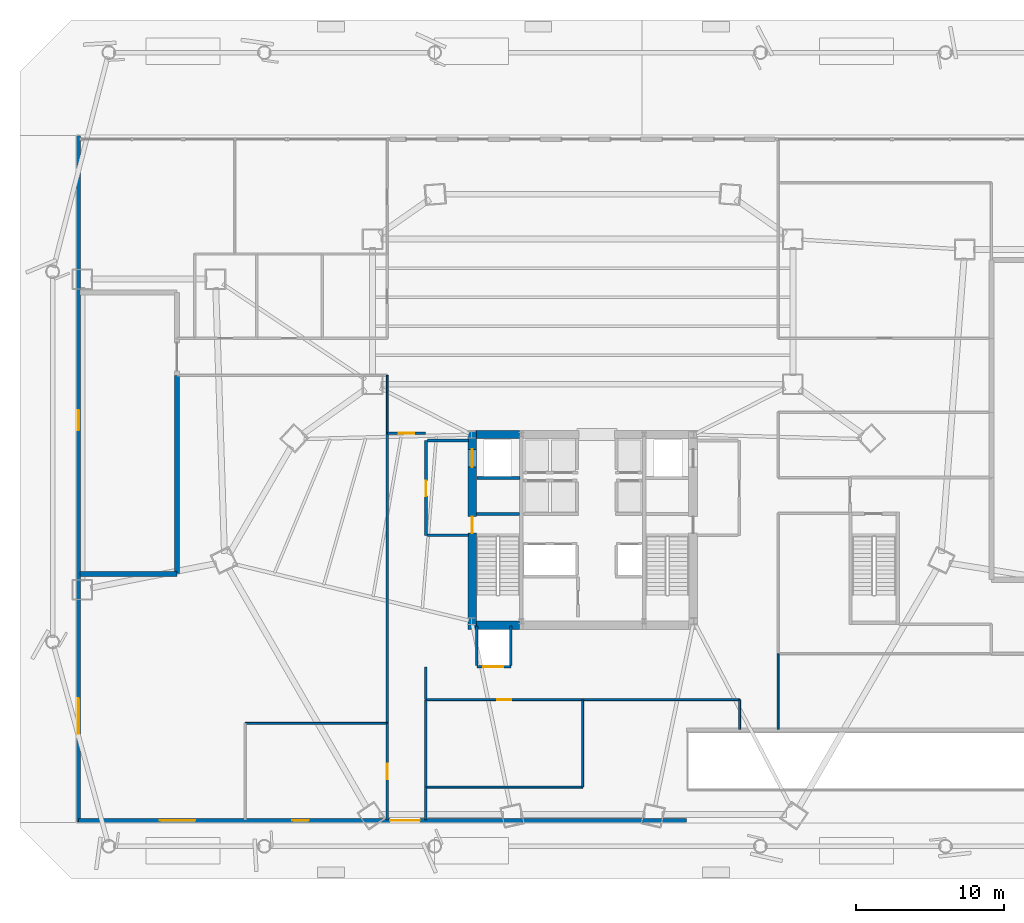
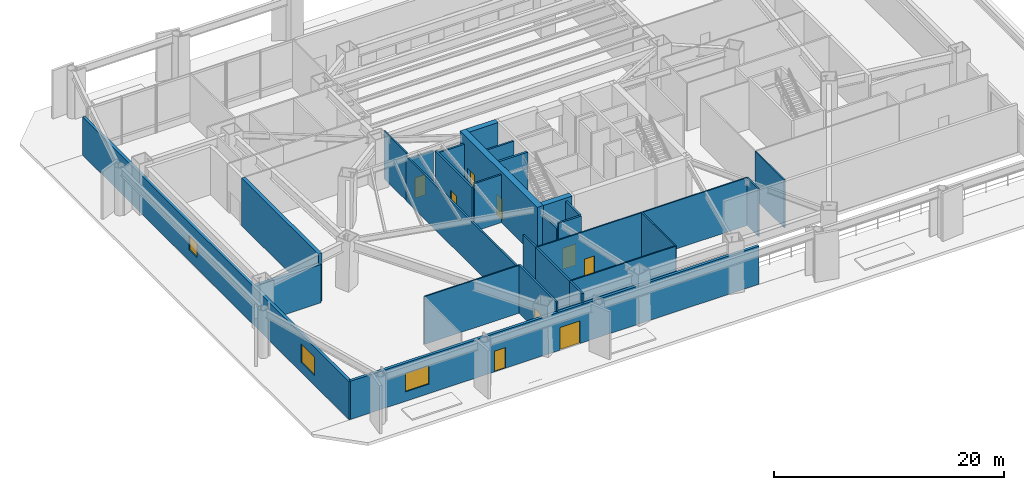
# One storey, part 11 of 19: 29 walls, 9 doors, 3 windows, 12 openings.
"""IFC4 building model written with IfcOpenShell, lengths in metres."""

from ifc_helpers import new_model, si_unit, direction, frame, frame_2d, origin, place, context, subcontext, project, spatial, rectangle, extrude, material, layer, layer_set, type_object, element, fill, save


model = new_model("IFC4")

# Units and contexts
model_context = context("Model", 3, precision=1e-05, world=origin(), true_north=direction((0.0, 1.0)))
body_context = subcontext(model_context, "Body", "Model", "MODEL_VIEW")
ifc_project = project(units=[si_unit("LENGTHUNIT", "METRE"), si_unit("AREAUNIT", "SQUARE_METRE"), si_unit("VOLUMEUNIT", "CUBIC_METRE"), si_unit("PLANEANGLEUNIT", "RADIAN"), si_unit("MASSUNIT", "GRAM", prefix="KILO")], contexts=[model_context])

# Site, building, storey
site_placement = place(None, origin())
site = spatial("IfcSite", under=ifc_project, at=site_placement, CompositionType="ELEMENT")
building_placement = place(site_placement, origin())
building = spatial("IfcBuilding", under=site, at=building_placement, Name="Caelisora Broadcast Tower", CompositionType="ELEMENT")
storey_placement = place(building_placement, origin())
storey = spatial("IfcBuildingStorey", under=building, at=storey_placement, Name="L00", CompositionType="ELEMENT", Elevation=0.0)

# Wall, openings, doors
ifc_material_1 = material(Name="Concrete 65 MPa (AS 3600 S65)", Category="concrete")
ifc_layer_1 = layer(ifc_material_1, 0.60009765625, Name="Concrete 65 MPa (AS 3600 S65)")
ifc_layer_set_1 = layer_set([ifc_layer_1], Name="Concrete 65 MPa (AS 3600 S65)")
wall_type_1 = type_object("IfcWallType", Name="CW1", PredefinedType="SHEAR", material=ifc_layer_set_1)
wall_1_placement = place(storey_placement, frame((30.5400390625, 16.85009765625, 0.0), z_axis=(0.0, 0.0, 1.0), x_axis=(0.0, 1.0, 0.0)))
wall_1 = element("IfcWall", 1, at=wall_1_placement, inside=storey, type_object=wall_type_1, Name="L00 core shear wall CW1", PredefinedType="SHEAR", context=body_context, shape_type="SweptSolid", body=[
    extrude(rectangle(XDim=13.4248046875, YDim=0.60009765625, at=frame_2d((6.71240234375, 0.0))), origin(), (0.0, 0.0, 1.0), 5.39990234375),
])
opening_1_placement = place(wall_1_placement, frame((6.5, 0.0, 0.0)))
opening_1 = element("IfcOpeningElement", 2, at=opening_1_placement, cuts=wall_1, Name="Opening FD04", PredefinedType="OPENING", context=body_context, shape_type="SweptSolid", body=[
    extrude(rectangle(XDim=1.1201171875, YDim=2.14990234375, at=frame_2d((0.56005859375, 1.074951171875))), frame((0.0, 0.31201171875, 0.0), z_axis=(0.0, -1.0, 0.0), x_axis=(1.0, 0.0, 0.0)), (0.0, 0.0, 1.0), 0.6240234375),
])
opening_2_placement = place(wall_1_placement, frame((10.949951171875, 0.0, 0.0)))
opening_2 = element("IfcOpeningElement", 3, at=opening_2_placement, cuts=wall_1, Name="Opening LD04", PredefinedType="OPENING", context=body_context, shape_type="SweptSolid", body=[
    extrude(rectangle(XDim=1.199951171875, YDim=2.199951171875, at=frame_2d((0.60009765625, 1.10009765625))), frame((0.0, 0.31201171875, 0.0), z_axis=(0.0, -1.0, 0.0), x_axis=(1.0, 0.0, 0.0)), (0.0, 0.0, 1.0), 0.6240234375),
])
ifc_material_2 = material(Name="Pressurised Fire-Isolated Stair Door", Category="steel")
door_type_1 = type_object("IfcDoorType", Name="FD04", OperationType="NOTDEFINED", PredefinedType="DOOR", material=ifc_material_2)
door_1_placement = place(opening_1_placement, origin())
door_1 = element("IfcDoor", 4, at=door_1_placement, inside=storey, type_object=door_type_1, Name="L00 door FD04 (L00-DR-ST1)", OperationType="SINGLE_SWING_LEFT", OverallHeight=2.14990234375, OverallWidth=1.1201171875, PredefinedType="DOOR", context=body_context, shape_type="SweptSolid", body=[
    extrude(rectangle(XDim=1.1201171875, YDim=2.14990234375, at=frame_2d((0.56005859375, 1.074951171875))), frame((0.0, 0.02490234375, 0.0), z_axis=(0.0, -1.0, 0.0), x_axis=(1.0, 0.0, 0.0)), (0.0, 0.0, 1.0), 0.050048828125),
])
fill(opening_1, door_1)
ifc_material_3 = material(Name="Emergency Firefighting Lift Sliding Landing Door", Category="steel")
door_type_2 = type_object("IfcDoorType", Name="LD04", OperationType="NOTDEFINED", PredefinedType="DOOR", material=ifc_material_3)
door_2_placement = place(opening_2_placement, origin())
door_2 = element("IfcDoor", 5, at=door_2_placement, inside=storey, type_object=door_type_2, Name="L00 door LD04 (L00-LD-FFL1)", OperationType="SLIDING_TO_LEFT", OverallHeight=2.199951171875, OverallWidth=1.199951171875, PredefinedType="DOOR", context=body_context, shape_type="SweptSolid", body=[
    extrude(rectangle(XDim=1.199951171875, YDim=2.199951171875, at=frame_2d((0.60009765625, 1.10009765625))), frame((0.0, 0.02490234375, 0.0), z_axis=(0.0, -1.0, 0.0), x_axis=(1.0, 0.0, 0.0)), (0.0, 0.0, 1.0), 0.050048828125),
])
fill(opening_2, door_2)

# Walls
ifc_layer_2 = layer(ifc_material_1, 0.550048828125, Name="Concrete 65 MPa (AS 3600 S65)")
ifc_layer_set_2 = layer_set([ifc_layer_2], Name="Concrete 65 MPa (AS 3600 S65)")
wall_type_2 = type_object("IfcWallType", Name="CW4", PredefinedType="SHEAR", material=ifc_layer_set_2)
for number, where, z_axis, x_axis, name in (
    (6, (30.840087890625, 17.125, 0.0), (0.0, 0.0, 1.0), (1.0, 0.0, 0.0), "L00 core shear wall CW4"),
    (7, (30.840087890625, 30.0, 0.0), (0.0, 0.0, 1.0), (1.0, 0.0, 0.0), "L00 core shear wall CW4"),
):
    element("IfcWall", number, at=place(storey_placement, frame(where, z_axis=z_axis, x_axis=x_axis)), inside=storey, type_object=wall_type_2, Name=name, PredefinedType="SHEAR", context=body_context, shape_type="SweptSolid", body=[
        extrude(rectangle(XDim=2.89990234375, YDim=0.550048828125, at=frame_2d((1.449951171875, 0.0))), origin(), (0.0, 0.0, 1.0), 5.39990234375),
    ])
ifc_material_4 = material(Name="Concrete 50 MPa (AS 3600 S50)", Category="concrete")
ifc_layer_3 = layer(ifc_material_4, 0.219970703125, Name="Concrete 50 MPa (AS 3600 S50)")
ifc_layer_set_3 = layer_set([ifc_layer_3], Name="Concrete 50 MPa (AS 3600 S50)")
wall_type_3 = type_object("IfcWallType", Name="CW7", PredefinedType="SHEAR", material=ifc_layer_set_3)
wall_2_placement = place(storey_placement, frame((30.840087890625, 24.639892578125, 0.0), z_axis=(0.0, 0.0, 1.0), x_axis=(1.0, 0.0, 0.0)))
element("IfcWall", 8, at=wall_2_placement, inside=storey, type_object=wall_type_3, Name="L00 core shear wall CW7", PredefinedType="SHEAR", context=body_context, shape_type="SweptSolid", body=[
    extrude(rectangle(XDim=2.89990234375, YDim=0.219970703125, at=frame_2d((1.449951171875, 0.0))), origin(), (0.0, 0.0, 1.0), 5.39990234375),
])

# Wall, openings, doors, window
ifc_material_5 = material(Name="Insulated Terracotta Spandrel Wall System", Category="masonry")
ifc_layer_4 = layer(ifc_material_5, 0.280029296875, Name="Insulated Terracotta Spandrel Wall System")
ifc_layer_set_4 = layer_set([ifc_layer_4], Name="Insulated Terracotta Spandrel Wall System")
wall_type_4 = type_object("IfcWallType", Name="EW1", PredefinedType="STANDARD", material=ifc_layer_set_4)
wall_3_placement = place(storey_placement, frame((45.0, 3.93994140625, 0.0), z_axis=(0.0, 0.0, 1.0), x_axis=(-1.0, 0.0, 0.0)))
wall_3 = element("IfcWall", 9, at=wall_3_placement, inside=storey, type_object=wall_type_4, Name="L00 exterior envelope wall EW1", PredefinedType="STANDARD", context=body_context, shape_type="SweptSolid", body=[
    extrude(rectangle(XDim=41.06005859375, YDim=0.280029296875, at=frame_2d((20.530029296875, 0.0))), origin(), (0.0, 0.0, 1.0), 4.06494140625),
])
opening_3_placement = place(wall_3_placement, frame((18.0, 0.0, 0.0)))
opening_3 = element("IfcOpeningElement", 10, at=opening_3_placement, cuts=wall_3, Name="Opening D05", PredefinedType="OPENING", context=body_context, shape_type="SweptSolid", body=[
    extrude(rectangle(XDim=2.0, YDim=2.39990234375, at=frame_2d((1.0, 1.199951171875))), frame((0.0, 0.152099609375, 0.0), z_axis=(0.0, -1.0, 0.0), x_axis=(1.0, 0.0, 0.0)), (0.0, 0.0, 1.0), 0.303955078125),
])
opening_4_placement = place(wall_3_placement, frame((25.5, 0.0, 0.0)))
opening_4 = element("IfcOpeningElement", 11, at=opening_4_placement, cuts=wall_3, Name="Opening D04", PredefinedType="OPENING", context=body_context, shape_type="SweptSolid", body=[
    extrude(rectangle(XDim=1.10009765625, YDim=2.199951171875, at=frame_2d((0.550048828125, 1.10009765625))), frame((0.0, 0.152099609375, 0.0), z_axis=(0.0, -1.0, 0.0), x_axis=(1.0, 0.0, 0.0)), (0.0, 0.0, 1.0), 0.303955078125),
])
opening_5_placement = place(wall_3_placement, frame((33.159912109375, 0.0, 1.0)))
opening_5 = element("IfcOpeningElement", 12, at=opening_5_placement, cuts=wall_3, Name="Opening W05", PredefinedType="OPENING", context=body_context, shape_type="SweptSolid", body=[
    extrude(rectangle(XDim=2.39990234375, YDim=1.949951171875, at=frame_2d((1.199951171875, 0.97509765625))), frame((0.0, 0.152099609375, 0.0), z_axis=(0.0, -1.0, 0.0), x_axis=(1.0, 0.0, 0.0)), (0.0, 0.0, 1.0), 0.303955078125),
])
ifc_material_6 = material(Name="Aluminium Framed Double-Glazed Terrace Door", Category="aluminium")
door_type_3 = type_object("IfcDoorType", Name="D04", OperationType="NOTDEFINED", PredefinedType="DOOR", material=ifc_material_6)
door_3_placement = place(opening_4_placement, origin())
door_3 = element("IfcDoor", 13, at=door_3_placement, inside=storey, type_object=door_type_3, Name="L00 door D04 (L00-DR-FCR)", OperationType="SINGLE_SWING_LEFT", OverallHeight=2.199951171875, OverallWidth=1.10009765625, PredefinedType="DOOR", context=body_context, shape_type="SweptSolid", body=[
    extrude(rectangle(XDim=1.10009765625, YDim=2.199951171875, at=frame_2d((0.550048828125, 1.10009765625))), frame((0.0, 0.02490234375, 0.0), z_axis=(0.0, -1.0, 0.0), x_axis=(1.0, 0.0, 0.0)), (0.0, 0.0, 1.0), 0.050048828125),
])
fill(opening_4, door_3)
ifc_material_7 = material(Name="Anodised Aluminium Double Entrance Door", Category="aluminium")
door_type_4 = type_object("IfcDoorType", Name="D05", OperationType="NOTDEFINED", PredefinedType="DOOR", material=ifc_material_7)
door_4_placement = place(opening_3_placement, origin())
door_4 = element("IfcDoor", 14, at=door_4_placement, inside=storey, type_object=door_type_4, Name="L00 door D05 (L00-DR-EXP1)", OperationType="DOUBLE_DOOR_SINGLE_SWING", OverallHeight=2.39990234375, OverallWidth=2.0, PredefinedType="DOOR", context=body_context, shape_type="SweptSolid", body=[
    extrude(rectangle(XDim=2.0, YDim=2.39990234375, at=frame_2d((1.0, 1.199951171875))), frame((0.0, 0.02490234375, 0.0), z_axis=(0.0, -1.0, 0.0), x_axis=(1.0, 0.0, 0.0)), (0.0, 0.0, 1.0), 0.050048828125),
])
fill(opening_3, door_4)
ifc_material_8 = material(Name="Double Glazed Podium Studio Gallery Window", Category="glass")
window_type_1 = type_object("IfcWindowType", Name="W05", PartitioningType="SINGLE_PANEL", PredefinedType="WINDOW", material=ifc_material_8)
window_1_placement = place(opening_5_placement, origin())
window_1 = element("IfcWindow", 15, at=window_1_placement, inside=storey, type_object=window_type_1, Name="L00 window W05 (L00-WN-S1)", OverallHeight=1.949951171875, OverallWidth=2.39990234375, PartitioningType="SINGLE_PANEL", PredefinedType="WINDOW", context=body_context, shape_type="SweptSolid", body=[
    extrude(rectangle(XDim=2.39990234375, YDim=1.949951171875, at=frame_2d((1.199951171875, 0.97509765625))), frame((0.0, 0.030029296875, 0.0), z_axis=(0.0, -1.0, 0.0), x_axis=(1.0, 0.0, 0.0)), (0.0, 0.0, 1.0), 0.06005859375),
])
fill(opening_5, window_1)

# Wall, openings, windows
wall_4_placement = place(storey_placement, frame((3.93994140625, 3.800048828125, 0.0), z_axis=(0.0, 0.0, 1.0), x_axis=(0.0, 1.0, 0.0)))
wall_4 = element("IfcWall", 16, at=wall_4_placement, inside=storey, type_object=wall_type_4, Name="L00 exterior envelope wall EW1", PredefinedType="STANDARD", context=body_context, shape_type="SweptSolid", body=[
    extrude(rectangle(XDim=46.39990234375, YDim=0.280029296875, at=frame_2d((23.199951171875, 0.0))), origin(), (0.0, 0.0, 1.0), 4.06494140625),
])
opening_6_placement = place(wall_4_placement, frame((6.0, 0.0, 1.050048828125)))
opening_6 = element("IfcOpeningElement", 17, at=opening_6_placement, cuts=wall_4, Name="Opening W05", PredefinedType="OPENING", context=body_context, shape_type="SweptSolid", body=[
    extrude(rectangle(XDim=2.39990234375, YDim=1.949951171875, at=frame_2d((1.199951171875, 0.97509765625))), frame((0.0, 0.152099609375, 0.0), z_axis=(0.0, -1.0, 0.0), x_axis=(1.0, 0.0, 0.0)), (0.0, 0.0, 1.0), 0.303955078125),
])
opening_7_placement = place(wall_4_placement, frame((26.5, 0.0, 1.199951171875)))
opening_7 = element("IfcOpeningElement", 18, at=opening_7_placement, cuts=wall_4, Name="Opening W06", PredefinedType="OPENING", context=body_context, shape_type="SweptSolid", body=[
    extrude(rectangle(XDim=1.35009765625, YDim=1.5, at=frame_2d((0.675048828125, 0.75))), frame((0.0, 0.152099609375, 0.0), z_axis=(0.0, -1.0, 0.0), x_axis=(1.0, 0.0, 0.0)), (0.0, 0.0, 1.0), 0.303955078125),
])
window_2_placement = place(opening_6_placement, origin())
window_2 = element("IfcWindow", 19, at=window_2_placement, inside=storey, type_object=window_type_1, Name="L00 window W05 (L00-WN-W1)", OverallHeight=1.949951171875, OverallWidth=2.39990234375, PartitioningType="SINGLE_PANEL", PredefinedType="WINDOW", context=body_context, shape_type="SweptSolid", body=[
    extrude(rectangle(XDim=2.39990234375, YDim=1.949951171875, at=frame_2d((1.199951171875, 0.97509765625))), frame((0.0, 0.030029296875, 0.0), z_axis=(0.0, -1.0, 0.0), x_axis=(1.0, 0.0, 0.0)), (0.0, 0.0, 1.0), 0.06005859375),
])
fill(opening_6, window_2)
ifc_material_9 = material(Name="Double Glazed Plant Observation Window", Category="glass")
window_type_2 = type_object("IfcWindowType", Name="W06", PartitioningType="SINGLE_PANEL", PredefinedType="WINDOW", material=ifc_material_9)
window_3_placement = place(opening_7_placement, origin())
window_3 = element("IfcWindow", 20, at=window_3_placement, inside=storey, type_object=window_type_2, Name="L00 window W06 (L00-WN-W2)", OverallHeight=1.5, OverallWidth=1.35009765625, PartitioningType="SINGLE_PANEL", PredefinedType="WINDOW", context=body_context, shape_type="SweptSolid", body=[
    extrude(rectangle(XDim=1.35009765625, YDim=1.5, at=frame_2d((0.675048828125, 0.75))), frame((0.0, 0.030029296875, 0.0), z_axis=(0.0, -1.0, 0.0), x_axis=(1.0, 0.0, 0.0)), (0.0, 0.0, 1.0), 0.06005859375),
])
fill(opening_7, window_3)

# Walls
ifc_material_10 = material(Name="Double-Leaf Acoustic Studio Isolation Wall", Category="gypsum")
ifc_layer_5 = layer(ifc_material_10, 0.340087890625, Name="Double-Leaf Acoustic Studio Isolation Wall")
ifc_layer_set_5 = layer_set([ifc_layer_5], Name="Double-Leaf Acoustic Studio Isolation Wall")
wall_type_5 = type_object("IfcWallType", Name="PW1", PredefinedType="PARTITIONING", material=ifc_layer_set_5)
wall_5_placement = place(storey_placement, frame((10.60009765625, 33.9951171875, 0.0), z_axis=(0.0, 0.0, 1.0), x_axis=(0.0, -1.0, 0.0)))
element("IfcWall", 21, at=wall_5_placement, inside=storey, type_object=wall_type_5, Name="L00 acoustic studio wall PW1", PredefinedType="PARTITIONING", context=body_context, shape_type="SweptSolid", body=[
    extrude(rectangle(XDim=13.39013671875, YDim=0.340087890625, at=frame_2d((6.695068359375, 0.0))), origin(), (0.0, 0.0, 1.0), 5.080078125),
])
wall_6_placement = place(storey_placement, frame((10.594970703125, 20.60009765625, 0.0), z_axis=(0.0, 0.0, 1.0), x_axis=(-1.0, 0.0, 0.0)))
element("IfcWall", 22, at=wall_6_placement, inside=storey, type_object=wall_type_5, Name="L00 acoustic studio wall PW1", PredefinedType="PARTITIONING", context=body_context, shape_type="SweptSolid", body=[
    extrude(rectangle(XDim=6.530029296875, YDim=0.340087890625, at=frame_2d((3.26513671875, 0.0))), origin(), (0.0, 0.0, 1.0), 4.06494140625),
])

# Wall, opening, door
ifc_material_11 = material(Name="Fire-Rated Gypsum Shaft and Compartment Wall", Category="gypsum")
ifc_layer_6 = layer(ifc_material_11, 0.179931640625, Name="Fire-Rated Gypsum Shaft and Compartment Wall")
ifc_layer_set_6 = layer_set([ifc_layer_6], Name="Fire-Rated Gypsum Shaft and Compartment Wall")
wall_type_6 = type_object("IfcWallType", Name="PW2", PredefinedType="PARTITIONING", material=ifc_layer_set_6)
wall_7_placement = place(storey_placement, frame((30.85009765625, 14.320068359375, 0.0), z_axis=(0.0, 0.0, 1.0), x_axis=(1.0, 0.0, 0.0)))
wall_7 = element("IfcWall", 23, at=wall_7_placement, inside=storey, type_object=wall_type_6, Name="L00 fire compartment wall PW2", PredefinedType="PARTITIONING", context=body_context, shape_type="SweptSolid", body=[
    extrude(rectangle(XDim=2.2998046875, YDim=0.179931640625, at=frame_2d((1.14990234375, 0.0))), origin(), (0.0, 0.0, 1.0), 5.080078125),
])
opening_8_placement = place(wall_7_placement, frame((0.449951171875, 0.0, 0.0)))
opening_8 = element("IfcOpeningElement", 24, at=opening_8_placement, cuts=wall_7, Name="Opening LD03", PredefinedType="OPENING", context=body_context, shape_type="SweptSolid", body=[
    extrude(rectangle(XDim=1.35009765625, YDim=2.25, at=frame_2d((0.675048828125, 1.125))), frame((0.0, 0.10205078125, 0.0), z_axis=(0.0, -1.0, 0.0), x_axis=(1.0, 0.0, 0.0)), (0.0, 0.0, 1.0), 0.203857421875),
])
ifc_material_12 = material(Name="Heavy-Duty Goods Lift Sliding Landing Door", Category="steel")
door_type_5 = type_object("IfcDoorType", Name="LD03", OperationType="NOTDEFINED", PredefinedType="DOOR", material=ifc_material_12)
door_5_placement = place(opening_8_placement, origin())
door_5 = element("IfcDoor", 25, at=door_5_placement, inside=storey, type_object=door_type_5, Name="L00 door LD03 (L00-LD-GL1)", OperationType="SLIDING_TO_LEFT", OverallHeight=2.25, OverallWidth=1.35009765625, PredefinedType="DOOR", context=body_context, shape_type="SweptSolid", body=[
    extrude(rectangle(XDim=1.35009765625, YDim=2.25, at=frame_2d((0.675048828125, 1.125))), frame((0.0, 0.02490234375, 0.0), z_axis=(0.0, -1.0, 0.0), x_axis=(1.0, 0.0, 0.0)), (0.0, 0.0, 1.0), 0.050048828125),
])
fill(opening_8, door_5)

# Walls
wall_8_placement = place(storey_placement, frame((30.85009765625, 14.419921875, 0.0), z_axis=(0.0, 0.0, 1.0), x_axis=(0.0, 1.0, 0.0)))
element("IfcWall", 26, at=wall_8_placement, inside=storey, type_object=wall_type_6, Name="L00 fire compartment wall PW2", PredefinedType="PARTITIONING", context=body_context, shape_type="SweptSolid", body=[
    extrude(rectangle(XDim=2.66015625, YDim=0.179931640625, at=frame_2d((1.330078125, 0.0))), origin(), (0.0, 0.0, 1.0), 4.453369140625),
])
wall_9_placement = place(storey_placement, frame((33.14990234375, 14.419921875, 0.0), z_axis=(0.0, 0.0, 1.0), x_axis=(0.0, 1.0, 0.0)))
element("IfcWall", 27, at=wall_9_placement, inside=storey, type_object=wall_type_6, Name="L00 fire compartment wall PW2", PredefinedType="PARTITIONING", context=body_context, shape_type="SweptSolid", body=[
    extrude(rectangle(XDim=2.66015625, YDim=0.179931640625, at=frame_2d((1.330078125, 0.0))), origin(), (0.0, 0.0, 1.0), 5.080078125),
])

# Wall, opening, door
wall_10_placement = place(storey_placement, frame((27.419921875, 23.199951171875, 0.0), z_axis=(0.0, 0.0, 1.0), x_axis=(0.0, 1.0, 0.0)))
wall_10 = element("IfcWall", 28, at=wall_10_placement, inside=storey, type_object=wall_type_6, Name="L00 fire compartment wall PW2", PredefinedType="PARTITIONING", context=body_context, shape_type="SweptSolid", body=[
    extrude(rectangle(XDim=6.400146484375, YDim=0.179931640625, at=frame_2d((3.2001953125, 0.0))), origin(), (0.0, 0.0, 1.0), 4.706298828125),
])
opening_9_placement = place(wall_10_placement, frame((2.64990234375, 0.0, 0.0)))
opening_9 = element("IfcOpeningElement", 29, at=opening_9_placement, cuts=wall_10, Name="Opening FD02", PredefinedType="OPENING", context=body_context, shape_type="SweptSolid", body=[
    extrude(rectangle(XDim=1.050048828125, YDim=2.14990234375, at=frame_2d((0.52490234375, 1.074951171875))), frame((0.0, 0.10205078125, 0.0), z_axis=(0.0, -1.0, 0.0), x_axis=(1.0, 0.0, 0.0)), (0.0, 0.0, 1.0), 0.203857421875),
])
ifc_material_13 = material(Name="Single-Leaf Steel Fire Lobby Door", Category="steel")
door_type_6 = type_object("IfcDoorType", Name="FD02", OperationType="NOTDEFINED", PredefinedType="DOOR", material=ifc_material_13)
door_6_placement = place(opening_9_placement, origin())
door_6 = element("IfcDoor", 30, at=door_6_placement, inside=storey, type_object=door_type_6, Name="L00 door FD02 (L00-DR-P01D1)", OperationType="SINGLE_SWING_LEFT", OverallHeight=2.14990234375, OverallWidth=1.050048828125, PredefinedType="DOOR", context=body_context, shape_type="SweptSolid", body=[
    extrude(rectangle(XDim=1.050048828125, YDim=2.14990234375, at=frame_2d((0.52490234375, 1.074951171875))), frame((0.0, 0.02490234375, 0.0), z_axis=(0.0, -1.0, 0.0), x_axis=(1.0, 0.0, 0.0)), (0.0, 0.0, 1.0), 0.050048828125),
])
fill(opening_9, door_6)

# Walls
wall_11_placement = place(storey_placement, frame((27.52001953125, 23.199951171875, 0.0), z_axis=(0.0, 0.0, 1.0), x_axis=(1.0, 0.0, 0.0)))
element("IfcWall", 31, at=wall_11_placement, inside=storey, type_object=wall_type_6, Name="L00 fire compartment wall PW2", PredefinedType="PARTITIONING", context=body_context, shape_type="SweptSolid", body=[
    extrude(rectangle(XDim=2.760009765625, YDim=0.179931640625, at=frame_2d((1.3798828125, 0.0))), origin(), (0.0, 0.0, 1.0), 5.080078125),
])
wall_12_placement = place(storey_placement, frame((27.52001953125, 29.60009765625, 0.0), z_axis=(0.0, 0.0, 1.0), x_axis=(1.0, 0.0, 0.0)))
element("IfcWall", 32, at=wall_12_placement, inside=storey, type_object=wall_type_6, Name="L00 fire compartment wall PW2", PredefinedType="PARTITIONING", context=body_context, shape_type="SweptSolid", body=[
    extrude(rectangle(XDim=2.760009765625, YDim=0.179931640625, at=frame_2d((1.3798828125, 0.0))), origin(), (0.0, 0.0, 1.0), 4.453369140625),
])
wall_13_placement = place(storey_placement, frame((30.860107421875, 27.070068359375, 0.0), z_axis=(0.0, 0.0, 1.0), x_axis=(1.0, 0.0, 0.0)))
element("IfcWall", 33, at=wall_13_placement, inside=storey, type_object=wall_type_6, Name="L00 fire compartment wall PW2", PredefinedType="PARTITIONING", context=body_context, shape_type="SweptSolid", body=[
    extrude(rectangle(XDim=2.89990234375, YDim=0.179931640625, at=frame_2d((1.449951171875, 0.0))), origin(), (0.0, 0.0, 1.0), 5.080078125),
])
wall_14_placement = place(storey_placement, frame((24.800048828125, 10.5048828125, 0.0), z_axis=(0.0, 0.0, 1.0), x_axis=(0.0, 1.0, 0.0)))
element("IfcWall", 34, at=wall_14_placement, inside=storey, type_object=wall_type_6, Name="L00 fire compartment wall PW2", PredefinedType="PARTITIONING", context=body_context, shape_type="SweptSolid", body=[
    extrude(rectangle(XDim=19.590087890625, YDim=0.179931640625, at=frame_2d((9.794921875, 0.0))), origin(), (0.0, 0.0, 1.0), 4.706298828125),
])

# Wall, opening, door
wall_15_placement = place(storey_placement, frame((24.800048828125, 3.97998046875, 0.0), z_axis=(0.0, 0.0, 1.0), x_axis=(0.0, 1.0, 0.0)))
wall_15 = element("IfcWall", 35, at=wall_15_placement, inside=storey, type_object=wall_type_6, Name="L00 fire compartment wall PW2", PredefinedType="PARTITIONING", context=body_context, shape_type="SweptSolid", body=[
    extrude(rectangle(XDim=6.51513671875, YDim=0.179931640625, at=frame_2d((3.257568359375, 0.0))), origin(), (0.0, 0.0, 1.0), 5.080078125),
])
opening_10_placement = place(wall_15_placement, frame((2.73193359375, 0.0, 0.0)))
opening_10 = element("IfcOpeningElement", 36, at=opening_10_placement, cuts=wall_15, Name="Opening FD02", PredefinedType="OPENING", context=body_context, shape_type="SweptSolid", body=[
    extrude(rectangle(XDim=1.050048828125, YDim=2.14990234375, at=frame_2d((0.52490234375, 1.074951171875))), frame((0.0, 0.10205078125, 0.0), z_axis=(0.0, -1.0, 0.0), x_axis=(1.0, 0.0, 0.0)), (0.0, 0.0, 1.0), 0.203857421875),
])
door_7_placement = place(opening_10_placement, origin())
door_7 = element("IfcDoor", 37, at=door_7_placement, inside=storey, type_object=door_type_6, Name="L00 door FD02 (L00-DR-P38D1)", OperationType="SINGLE_SWING_RIGHT", OverallHeight=2.14990234375, OverallWidth=1.050048828125, PredefinedType="DOOR", context=body_context, shape_type="SweptSolid", body=[
    extrude(rectangle(XDim=1.050048828125, YDim=2.14990234375, at=frame_2d((0.52490234375, 1.074951171875))), frame((0.0, 0.02490234375, 0.0), z_axis=(0.0, -1.0, 0.0), x_axis=(1.0, 0.0, 0.0)), (0.0, 0.0, 1.0), 0.050048828125),
])
fill(opening_10, door_7)

# Wall
wall_16_placement = place(storey_placement, frame((27.39990234375, 6.205078125, 0.0), z_axis=(0.0, 0.0, 1.0), x_axis=(0.0, 1.0, 0.0)))
element("IfcWall", 38, at=wall_16_placement, inside=storey, type_object=wall_type_6, Name="L00 fire compartment wall PW2", PredefinedType="PARTITIONING", context=body_context, shape_type="SweptSolid", body=[
    extrude(rectangle(XDim=5.889892578125, YDim=0.179931640625, at=frame_2d((2.94482421875, 0.0))), origin(), (0.0, 0.0, 1.0), 5.080078125),
])

# Wall, opening, door
wall_17_placement = place(storey_placement, frame((24.804931640625, 30.10009765625, 0.0), z_axis=(0.0, 0.0, 1.0), x_axis=(1.0, 0.0, 0.0)))
wall_17 = element("IfcWall", 39, at=wall_17_placement, inside=storey, type_object=wall_type_6, Name="L00 fire compartment wall PW2", PredefinedType="PARTITIONING", context=body_context, shape_type="SweptSolid", body=[
    extrude(rectangle(XDim=2.590087890625, YDim=0.179931640625, at=frame_2d((1.294921875, 0.0))), origin(), (0.0, 0.0, 1.0), 4.453369140625),
])
opening_11_placement = place(wall_17_placement, frame((0.77001953125, 0.0, 0.0)))
opening_11 = element("IfcOpeningElement", 40, at=opening_11_placement, cuts=wall_17, Name="Opening FD02", PredefinedType="OPENING", context=body_context, shape_type="SweptSolid", body=[
    extrude(rectangle(XDim=1.050048828125, YDim=2.14990234375, at=frame_2d((0.52490234375, 1.074951171875))), frame((0.0, 0.10205078125, 0.0), z_axis=(0.0, -1.0, 0.0), x_axis=(1.0, 0.0, 0.0)), (0.0, 0.0, 1.0), 0.203857421875),
])
door_8_placement = place(opening_11_placement, origin())
door_8 = element("IfcDoor", 41, at=door_8_placement, inside=storey, type_object=door_type_6, Name="L00 door FD02 (L00-DR-P41D1)", OperationType="SINGLE_SWING_LEFT", OverallHeight=2.14990234375, OverallWidth=1.050048828125, PredefinedType="DOOR", context=body_context, shape_type="SweptSolid", body=[
    extrude(rectangle(XDim=1.050048828125, YDim=2.14990234375, at=frame_2d((0.52490234375, 1.074951171875))), frame((0.0, 0.02490234375, 0.0), z_axis=(0.0, -1.0, 0.0), x_axis=(1.0, 0.0, 0.0)), (0.0, 0.0, 1.0), 0.050048828125),
])
fill(opening_11, door_8)

# Walls
wall_18_placement = place(storey_placement, frame((27.39990234375, 3.97998046875, 0.0), z_axis=(0.0, 0.0, 1.0), x_axis=(0.0, 1.0, 0.0)))
element("IfcWall", 42, at=wall_18_placement, inside=storey, type_object=wall_type_6, Name="L00 fire compartment wall PW2", PredefinedType="PARTITIONING", context=body_context, shape_type="SweptSolid", body=[
    extrude(rectangle(XDim=2.215087890625, YDim=0.179931640625, at=frame_2d((1.107421875, 0.0))), origin(), (0.0, 0.0, 1.0), 5.080078125),
])
wall_19_placement = place(storey_placement, frame((27.39990234375, 12.10498046875, 0.0), z_axis=(0.0, 0.0, 1.0), x_axis=(0.0, 1.0, 0.0)))
element("IfcWall", 43, at=wall_19_placement, inside=storey, type_object=wall_type_6, Name="L00 fire compartment wall PW2", PredefinedType="PARTITIONING", context=body_context, shape_type="SweptSolid", body=[
    extrude(rectangle(XDim=2.18994140625, YDim=0.179931640625, at=frame_2d((1.094970703125, 0.0))), origin(), (0.0, 0.0, 1.0), 5.080078125),
])
ifc_material_14 = material(Name="Acoustic Steel-Stud Plasterboard Partition", Category="gypsum")
ifc_layer_7 = layer(ifc_material_14, 0.1298828125, Name="Acoustic Steel-Stud Plasterboard Partition")
ifc_layer_set_7 = layer_set([ifc_layer_7], Name="Acoustic Steel-Stud Plasterboard Partition")
wall_type_7 = type_object("IfcWallType", Name="PW3", PredefinedType="PARTITIONING", material=ifc_layer_set_7)
wall_20_placement = place(storey_placement, frame((38.0048828125, 12.10009765625, 0.0), z_axis=(0.0, 0.0, 1.0), x_axis=(1.0, 0.0, 0.0)))
element("IfcWall", 44, at=wall_20_placement, inside=storey, type_object=wall_type_7, Name="L00 internal partition PW3", PredefinedType="PARTITIONING", context=body_context, shape_type="SweptSolid", body=[
    extrude(rectangle(XDim=10.590087890625, YDim=0.1298828125, at=frame_2d((5.294921875, 0.0))), origin(), (0.0, 0.0, 1.0), 5.080078125),
])

# Wall, opening, door
wall_21_placement = place(storey_placement, frame((27.405029296875, 12.10009765625, 0.0), z_axis=(0.0, 0.0, 1.0), x_axis=(1.0, 0.0, 0.0)))
wall_21 = element("IfcWall", 45, at=wall_21_placement, inside=storey, type_object=wall_type_7, Name="L00 internal partition PW3", PredefinedType="PARTITIONING", context=body_context, shape_type="SweptSolid", body=[
    extrude(rectangle(XDim=10.590087890625, YDim=0.1298828125, at=frame_2d((5.294921875, 0.0))), origin(), (0.0, 0.0, 1.0), 5.080078125),
])
opening_12_placement = place(wall_21_placement, frame((4.81494140625, 0.0, 0.0)))
opening_12 = element("IfcOpeningElement", 46, at=opening_12_placement, cuts=wall_21, Name="Opening D01", PredefinedType="OPENING", context=body_context, shape_type="SweptSolid", body=[
    extrude(rectangle(XDim=0.9599609375, YDim=2.14990234375, at=frame_2d((0.47998046875, 1.074951171875))), frame((0.0, 0.076904296875, 0.0), z_axis=(0.0, -1.0, 0.0), x_axis=(1.0, 0.0, 0.0)), (0.0, 0.0, 1.0), 0.15380859375),
])
ifc_material_15 = material(Name="Solid-Core Timber Acoustic Office Door", Category="wood")
door_type_7 = type_object("IfcDoorType", Name="D01", OperationType="NOTDEFINED", PredefinedType="DOOR", material=ifc_material_15)
door_9_placement = place(opening_12_placement, origin())
door_9 = element("IfcDoor", 47, at=door_9_placement, inside=storey, type_object=door_type_7, Name="L00 door D01 (L00-DR-P54D1)", OperationType="SINGLE_SWING_RIGHT", OverallHeight=2.14990234375, OverallWidth=0.9599609375, PredefinedType="DOOR", context=body_context, shape_type="SweptSolid", body=[
    extrude(rectangle(XDim=0.9599609375, YDim=2.14990234375, at=frame_2d((0.47998046875, 1.074951171875))), frame((0.0, 0.02490234375, 0.0), z_axis=(0.0, -1.0, 0.0), x_axis=(1.0, 0.0, 0.0)), (0.0, 0.0, 1.0), 0.050048828125),
])
fill(opening_12, door_9)

# Walls
wall_22_placement = place(storey_placement, frame((27.405029296875, 6.199951171875, 0.0), z_axis=(0.0, 0.0, 1.0), x_axis=(1.0, 0.0, 0.0)))
element("IfcWall", 48, at=wall_22_placement, inside=storey, type_object=wall_type_7, Name="L00 internal partition PW3", PredefinedType="PARTITIONING", context=body_context, shape_type="SweptSolid", body=[
    extrude(rectangle(XDim=10.590087890625, YDim=0.1298828125, at=frame_2d((5.294921875, 0.0))), origin(), (0.0, 0.0, 1.0), 5.080078125),
])
wall_23_placement = place(storey_placement, frame((15.205078125, 10.5, 0.0), z_axis=(0.0, 0.0, 1.0), x_axis=(1.0, 0.0, 0.0)))
element("IfcWall", 49, at=wall_23_placement, inside=storey, type_object=wall_type_7, Name="L00 internal partition PW3", PredefinedType="PARTITIONING", context=body_context, shape_type="SweptSolid", body=[
    extrude(rectangle(XDim=9.58984375, YDim=0.1298828125, at=frame_2d((4.794921875, 0.0))), origin(), (0.0, 0.0, 1.0), 5.080078125),
])
wall_24_placement = place(storey_placement, frame((38.0, 6.205078125, 0.0), z_axis=(0.0, 0.0, 1.0), x_axis=(0.0, 1.0, 0.0)))
element("IfcWall", 50, at=wall_24_placement, inside=storey, type_object=wall_type_7, Name="L00 internal partition PW3", PredefinedType="PARTITIONING", context=body_context, shape_type="SweptSolid", body=[
    extrude(rectangle(XDim=5.889892578125, YDim=0.1298828125, at=frame_2d((2.94482421875, 0.0))), origin(), (0.0, 0.0, 1.0), 5.080078125),
])
wall_25_placement = place(storey_placement, frame((51.199951171875, 10.10009765625, 0.0), z_axis=(0.0, 0.0, 1.0), x_axis=(0.0, 1.0, 0.0)))
element("IfcWall", 51, at=wall_25_placement, inside=storey, type_object=wall_type_7, Name="L00 internal partition PW3", PredefinedType="PARTITIONING", context=body_context, shape_type="SweptSolid", body=[
    extrude(rectangle(XDim=5.094970703125, YDim=0.1298828125, at=frame_2d((2.54736328125, 0.0))), origin(), (0.0, 0.0, 1.0), 5.080078125),
])
wall_26_placement = place(storey_placement, frame((24.800048828125, 30.10498046875, 0.0), z_axis=(0.0, 0.0, 1.0), x_axis=(0.0, 1.0, 0.0)))
element("IfcWall", 52, at=wall_26_placement, inside=storey, type_object=wall_type_7, Name="L00 internal partition PW3", PredefinedType="PARTITIONING", context=body_context, shape_type="SweptSolid", body=[
    extrude(rectangle(XDim=3.89013671875, YDim=0.1298828125, at=frame_2d((1.945068359375, 0.0))), origin(), (0.0, 0.0, 1.0), 5.080078125),
])
wall_27_placement = place(storey_placement, frame((48.60009765625, 12.094970703125, 0.0), z_axis=(0.0, 0.0, 1.0), x_axis=(0.0, -1.0, 0.0)))
element("IfcWall", 53, at=wall_27_placement, inside=storey, type_object=wall_type_7, Name="L00 internal partition PW3", PredefinedType="PARTITIONING", context=body_context, shape_type="SweptSolid", body=[
    extrude(rectangle(XDim=1.994873046875, YDim=0.1298828125, at=frame_2d((0.99755859375, 0.0))), origin(), (0.0, 0.0, 1.0), 5.080078125),
])

save(model, "model.ifc")
